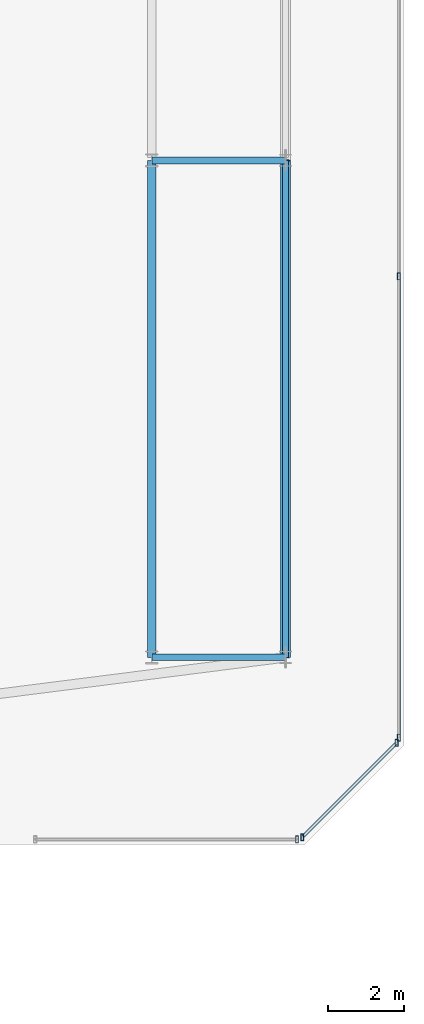
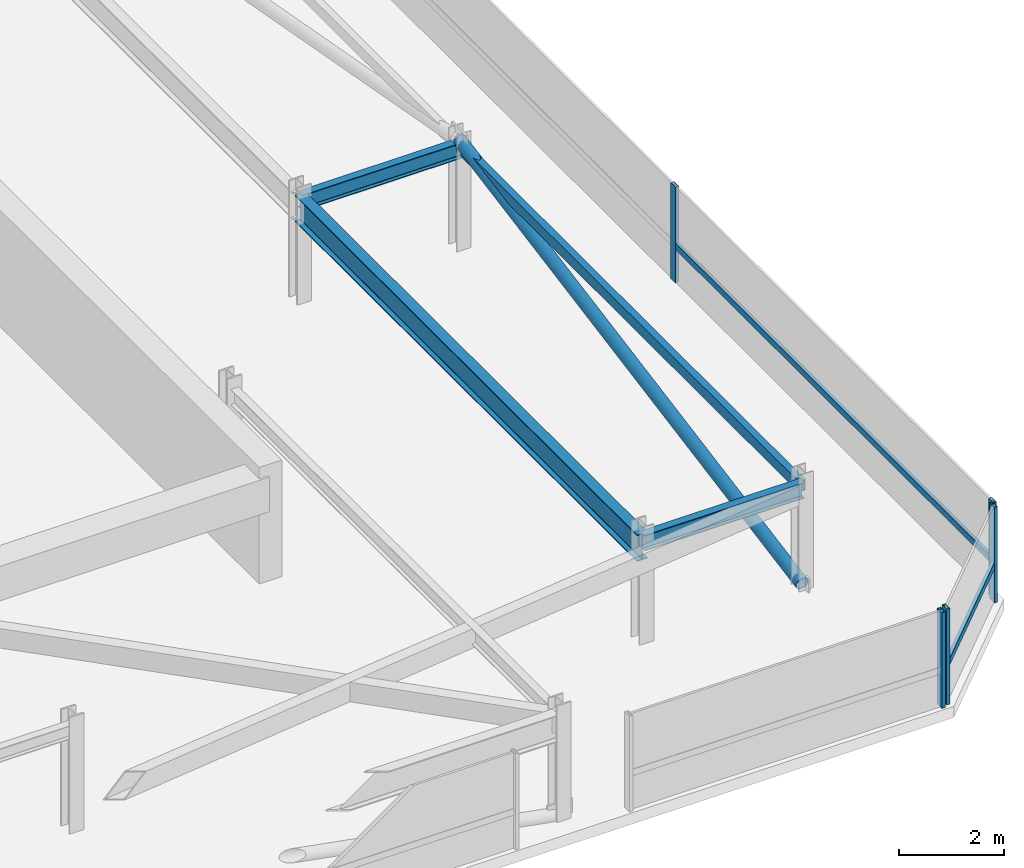
# One storey, part 31 of 42: 8 members, 4 beams, 3 elements without a shape of their own.
"""IFC4 building model written with IfcOpenShell, lengths in metres."""

from ifc_helpers import new_model, si_unit, direction, frame, origin, origin_2d, place, context, subcontext, project, spatial, hollow_rectangle, hollow_circle, i_section, extrude, material, material_profile, profile_set, type_object, element, aggregate, save


model = new_model("IFC4")

# Units and contexts
model_context = context("Model", 3, precision=1e-05, world=origin(), true_north=direction((0.0, 1.0)))
body_context = subcontext(model_context, "Body", "Model", "MODEL_VIEW")
ifc_project = project(units=[si_unit("LENGTHUNIT", "METRE"), si_unit("AREAUNIT", "SQUARE_METRE"), si_unit("VOLUMEUNIT", "CUBIC_METRE"), si_unit("PLANEANGLEUNIT", "RADIAN"), si_unit("MASSUNIT", "GRAM", prefix="KILO")], contexts=[model_context])

# Site, building, storey
site_placement = place(None, origin())
site = spatial("IfcSite", under=ifc_project, at=site_placement, CompositionType="ELEMENT")
building_placement = place(site_placement, origin())
building = spatial("IfcBuilding", under=site, at=building_placement, Name="Thornwick Lancets Civic Towers", CompositionType="ELEMENT")
storey_placement = place(building_placement, frame((0.0, 0.0, 286.800048828125)))
storey = spatial("IfcBuildingStorey", under=building, at=storey_placement, Name="C03", CompositionType="ELEMENT", Elevation=286.800048828125)

# Beams
ifc_material_1 = material(Name="Steel S355JR", Category="steel")
ifc_material_profile_1 = material_profile(ifc_material_1, hollow_rectangle(XDim=0.14990234375, YDim=0.25, WallThickness=0.012451171875, at=origin_2d()), Name="RHS 250x150x12.5")
ifc_profile_set_1 = profile_set([ifc_material_profile_1], Name="Steel S355JR")
beam_type_1 = type_object("IfcBeamType", Name="BM_CROWN_RHS250", PredefinedType="BEAM", material=ifc_profile_set_1)
beam_1_placement = place(storey_placement, frame((109.300048828125, 14.0, 2.31494140625), z_axis=(0.0, 1.0, 0.0), x_axis=(-1.0, 0.0, 0.0)))
element("IfcBeam", 1, at=beam_1_placement, inside=storey, type_object=beam_type_1, Name="BM-EDGE-C03-B-S0-1", PredefinedType="BEAM", context=body_context, shape_type="SweptSolid", body=[
    extrude(hollow_rectangle(XDim=0.14990234375, YDim=0.25, WallThickness=0.012451171875, at=origin_2d()), origin(), (0.0, 0.0, 1.0), 13.0),
])
ifc_material_profile_2 = material_profile(ifc_material_1, i_section(OverallWidth=0.230224609375, OverallDepth=0.6171875, WebThickness=0.01318359375, FlangeThickness=0.022216796875, FilletRadius=0.0126953125, at=origin_2d()), Name="UKB 610x229x140")
ifc_profile_set_2 = profile_set([ifc_material_profile_2], Name="Steel S355JR")
beam_type_2 = type_object("IfcBeamType", Name="BM_GIRD_610_140", PredefinedType="BEAM", material=ifc_profile_set_2)
beam_2_placement = place(storey_placement, frame((105.800048828125, 14.0, 2.13134765625), z_axis=(0.0, 1.0, 0.0), x_axis=(-1.0, 0.0, 0.0)))
element("IfcBeam", 2, at=beam_2_placement, inside=storey, type_object=beam_type_2, Name="BM-SPINE-C03-B-0-1", PredefinedType="BEAM", context=body_context, shape_type="SweptSolid", body=[
    extrude(i_section(OverallWidth=0.230224609375, OverallDepth=0.6171875, WebThickness=0.01318359375, FlangeThickness=0.022216796875, FilletRadius=0.0126953125, at=origin_2d()), origin(), (0.0, 0.0, 1.0), 13.0),
])
ifc_material_profile_3 = material_profile(ifc_material_1, i_section(OverallWidth=0.173095703125, OverallDepth=0.36328125, WebThickness=0.009033203125, FlangeThickness=0.015625, FilletRadius=0.01025390625, at=origin_2d()), Name="UKB 356x171x67")
ifc_profile_set_3 = profile_set([ifc_material_profile_3], Name="Steel S355JR")
beam_type_3 = type_object("IfcBeamType", Name="BM_JOIST_356_67", PredefinedType="JOIST", material=ifc_profile_set_3)
for number, where, z_axis, x_axis, name in (
    (3, (105.800048828125, 14.0, 2.25830078125), (1.0, 0.0, 0.0), (0.0, 1.0, 0.0), "BM-RAD-C03-B01"),
    (4, (105.800048828125, 27.0, 2.25830078125), (1.0, 0.0, 0.0), (0.0, 1.0, 0.0), "BM-RAD-C03-B02"),
):
    element("IfcBeam", number, at=place(storey_placement, frame(where, z_axis=z_axis, x_axis=x_axis)), inside=storey, type_object=beam_type_3, Name=name, PredefinedType="JOIST", context=body_context, shape_type="SweptSolid", body=[
        extrude(i_section(OverallWidth=0.173095703125, OverallDepth=0.36328125, WebThickness=0.009033203125, FlangeThickness=0.015625, FilletRadius=0.01025390625, at=origin_2d()), origin(), (0.0, 0.0, 1.0), 3.5),
    ])

# Curtain wall, member
ifc_material_2 = material(Name="Crown ring acoustic-louvre and glazing screen wall", Category="glass")
curtain_wall_type = type_object("IfcCurtainWallType", Name="CW_SYS_07", PredefinedType="NOTDEFINED", material=ifc_material_2)
curtain_wall_1_placement = place(storey_placement, origin())
curtain_wall_1 = element("IfcCurtainWall", 5, at=curtain_wall_1_placement, inside=storey, type_object=curtain_wall_type, Name="C03 Curtain Wall CW-C03-B-E0-S3", PredefinedType="NOTDEFINED")
ifc_material_3 = material(Name="Thermally broken bronze aluminium S355", Category="steel")
ifc_material_profile_4 = material_profile(ifc_material_3, hollow_rectangle(XDim=0.074951171875, YDim=0.179931640625, WallThickness=0.006103515625, at=origin_2d()), Name="RHS 180x75x6")
ifc_profile_set_4 = profile_set([ifc_material_profile_4], Name="Thermally broken bronze aluminium S355")
member_type_1 = type_object("IfcMemberType", Name="CW_MUL_180", PredefinedType="MULLION", material=ifc_profile_set_4)
member_1_placement = place(storey_placement, frame((109.601318359375, 9.2353515625, 0.0), z_axis=(0.0, 0.0, 1.0), x_axis=(1.0, 0.0, 0.0)))
member_1 = element("IfcMember", 6, at=member_1_placement, type_object=member_type_1, Name="CW-C03-B-E0-S3 Mullion 1", PredefinedType="MULLION", context=body_context, shape_type="SweptSolid", body=[
    extrude(hollow_rectangle(XDim=0.074951171875, YDim=0.179931640625, WallThickness=0.006103515625, at=origin_2d()), origin(), (0.0, 0.0, 1.0), 2.219970703125),
])
aggregate(curtain_wall_1, [member_1])

# Curtain wall, members
curtain_wall_2_placement = place(storey_placement, origin())
curtain_wall_2 = element("IfcCurtainWall", 7, at=curtain_wall_2_placement, inside=storey, type_object=curtain_wall_type, Name="C03 Curtain Wall CW-C03-B-E1", PredefinedType="NOTDEFINED")
member_2_placement = place(storey_placement, frame((109.738037109375, 9.2919921875, 0.0), z_axis=(0.0, 0.0, 1.0), x_axis=(1.0, 0.0, 0.0)))
member_2 = element("IfcMember", 8, at=member_2_placement, type_object=member_type_1, Name="CW-C03-B-E1 Mullion 0", PredefinedType="MULLION", context=body_context, shape_type="SweptSolid", body=[
    extrude(hollow_rectangle(XDim=0.074951171875, YDim=0.179931640625, WallThickness=0.006103515625, at=origin_2d()), origin(), (0.0, 0.0, 1.0), 2.219970703125),
])
member_3_placement = place(storey_placement, frame((112.2080078125, 11.761962890625, 0.0), z_axis=(0.0, 0.0, 1.0), x_axis=(1.0, 0.0, 0.0)))
member_3 = element("IfcMember", 9, at=member_3_placement, type_object=member_type_1, Name="CW-C03-B-E1 Mullion 1", PredefinedType="MULLION", context=body_context, shape_type="SweptSolid", body=[
    extrude(hollow_rectangle(XDim=0.074951171875, YDim=0.179931640625, WallThickness=0.006103515625, at=origin_2d()), origin(), (0.0, 0.0, 1.0), 2.219970703125),
])

curtain_wall_3_placement = place(storey_placement, origin())
curtain_wall_3 = element("IfcCurtainWall", 10, at=curtain_wall_3_placement, inside=storey, type_object=curtain_wall_type, Name="C03 Curtain Wall CW-C03-B-E2", PredefinedType="NOTDEFINED")
member_4_placement = place(storey_placement, frame((112.2646484375, 11.898681640625, 0.0), z_axis=(0.0, 0.0, 1.0), x_axis=(1.0, 0.0, 0.0)))
member_4 = element("IfcMember", 11, at=member_4_placement, type_object=member_type_1, Name="CW-C03-B-E2 Mullion 0", PredefinedType="MULLION", context=body_context, shape_type="SweptSolid", body=[
    extrude(hollow_rectangle(XDim=0.074951171875, YDim=0.179931640625, WallThickness=0.006103515625, at=origin_2d()), origin(), (0.0, 0.0, 1.0), 2.219970703125),
])
member_5_placement = place(storey_placement, frame((112.2646484375, 23.96630859375, 0.0), z_axis=(0.0, 0.0, 1.0), x_axis=(1.0, 0.0, 0.0)))
member_5 = element("IfcMember", 12, at=member_5_placement, type_object=member_type_1, Name="CW-C03-B-E2 Mullion 1", PredefinedType="MULLION", context=body_context, shape_type="SweptSolid", body=[
    extrude(hollow_rectangle(XDim=0.074951171875, YDim=0.179931640625, WallThickness=0.006103515625, at=origin_2d()), origin(), (0.0, 0.0, 1.0), 2.219970703125),
])

# Member
ifc_material_profile_5 = material_profile(ifc_material_3, hollow_rectangle(XDim=0.074951171875, YDim=0.14990234375, WallThickness=0.0048828125, at=origin_2d()), Name="RHS 150x75x5")
ifc_profile_set_5 = profile_set([ifc_material_profile_5], Name="Thermally broken bronze aluminium S355")
member_type_2 = type_object("IfcMemberType", Name="CW_TRN_150", PredefinedType="USERDEFINED", material=ifc_profile_set_5)
member_6_placement = place(storey_placement, frame((109.752197265625, 9.30615234375, 0.849853515625), z_axis=(0.707106781187, 0.707106781187, 0.0), x_axis=(-0.707106781187, 0.707106781187, 0.0)))
member_6 = element("IfcMember", 13, at=member_6_placement, type_object=member_type_2, Name="CW-C03-B-E1 Transom 0", ObjectType="TRANSOM", PredefinedType="USERDEFINED", context=body_context, shape_type="SweptSolid", body=[
    extrude(hollow_rectangle(XDim=0.074951171875, YDim=0.14990234375, WallThickness=0.0048828125, at=origin_2d()), origin(), (0.0, 0.0, 1.0), 3.453125),
])

aggregate(curtain_wall_2, [member_2, member_3, member_6])

member_7_placement = place(storey_placement, frame((112.2646484375, 11.918701171875, 0.849853515625), z_axis=(0.0, 1.0, 0.0), x_axis=(-1.0, 0.0, 0.0)))
member_7 = element("IfcMember", 14, at=member_7_placement, type_object=member_type_2, Name="CW-C03-B-E2 Transom 0", ObjectType="TRANSOM", PredefinedType="USERDEFINED", context=body_context, shape_type="SweptSolid", body=[
    extrude(hollow_rectangle(XDim=0.074951171875, YDim=0.14990234375, WallThickness=0.0048828125, at=origin_2d()), origin(), (0.0, 0.0, 1.0), 12.027587890625),
])

aggregate(curtain_wall_3, [member_4, member_5, member_7])

ifc_material_profile_6 = material_profile(ifc_material_1, hollow_circle(Radius=0.136474609375, WallThickness=0.012451171875, at=origin_2d()), Name="CHS 273x12.5")
ifc_profile_set_6 = profile_set([ifc_material_profile_6], Name="Steel S355JR")
member_type_3 = type_object("IfcMemberType", Name="MEM_CROWN_CHS273", PredefinedType="BRACE", material=ifc_profile_set_6)
member_8_placement = place(storey_placement, frame((109.300048828125, 14.0, 0.050048828125), z_axis=(0.0, 0.98351842104, 0.180807951915), x_axis=(-1.0, 0.0, 0.0)))
element("IfcMember", 15, at=member_8_placement, inside=storey, type_object=member_type_3, Name="C03 Crown Ring Lancet Rib B-S0-L", PredefinedType="BRACE", context=body_context, shape_type="SweptSolid", body=[
    extrude(hollow_circle(Radius=0.136474609375, WallThickness=0.012451171875, at=origin_2d()), origin(), (0.0, 0.0, 1.0), 13.2177734375),
])

save(model, "model.ifc")
